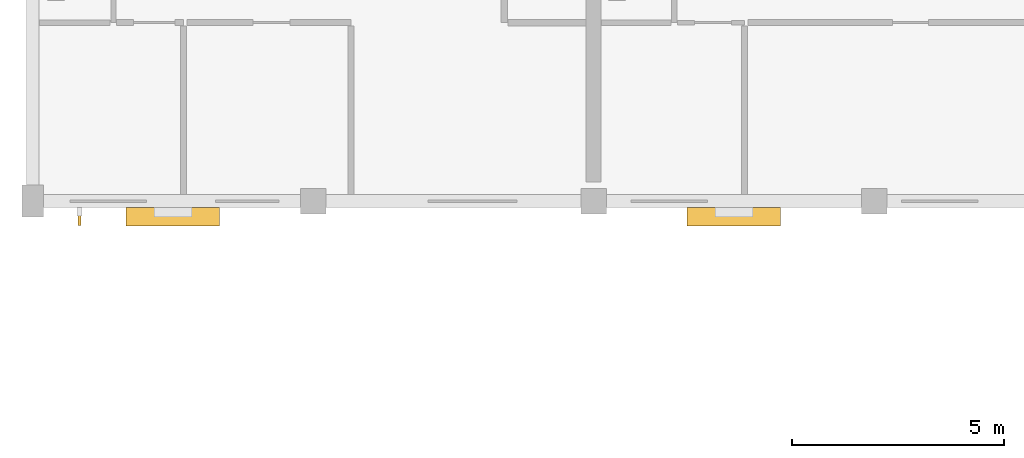
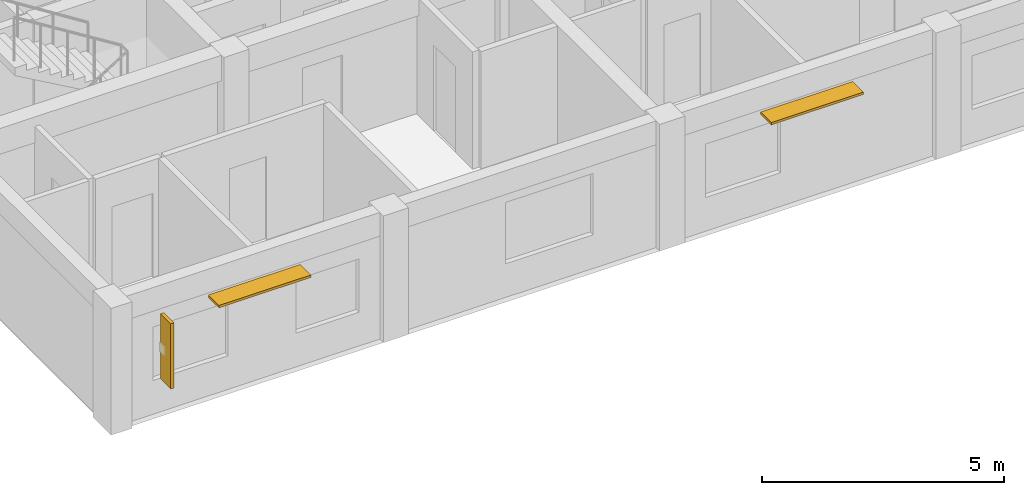
# One storey, part 47 of 52: 3 shading devices.
"""IFC4 building model written with IfcOpenShell, lengths in metres."""

import ifcopenshell
import ifcopenshell.guid

model = None  # the IFC model being written
_history = None  # IfcOwnerHistory: only IFC2X3 demands one
_inside = {}  # id of a spatial element -> (the spatial element, [elements in it])
_under = {}  # id of a project, library or spatial element -> (it, [spatial elements below it])
_declared = {}  # id of a project -> (the project, [libraries it declares])
_typed = {}  # id of a type object -> (the type object, [elements of that type])
_made_of = {}  # id of a material, layer set ... -> (it, [elements and type objects made of it])


def new_model(schema):
    """Start an empty IFC model of exactly this schema.

    Asked for "IFC4X3", IfcOpenShell would pick the latest addendum, in which some entities
    have other attributes; the version numbers below select the first issue.
    IFC2X3 requires an IfcOwnerHistory on every rooted entity: one is made here for all.
    """
    global model, _history
    if schema == "IFC4X3":
        model = ifcopenshell.file(schema_version=(4, 3, 0, 0))
    else:
        model = ifcopenshell.file(schema=schema)
    _inside.clear()
    _under.clear()
    _declared.clear()
    _typed.clear()
    _made_of.clear()
    _history = None
    if model.schema == "IFC2X3":
        org = make("IfcOrganization", Name="unknown")
        user = make(
            "IfcPersonAndOrganization",
            ThePerson=make("IfcPerson", FamilyName="unknown"),
            TheOrganization=org,
        )
        app = make(
            "IfcApplication",
            ApplicationDeveloper=org,
            Version="unknown",
            ApplicationFullName="unknown",
            ApplicationIdentifier="unknown",
        )
        _history = make(
            "IfcOwnerHistory",
            OwningUser=user,
            OwningApplication=app,
            ChangeAction="ADDED",
            CreationDate=0,
        )
    return model


def make(cls, **values):
    """One entity of the class cls with the attributes given. An attribute that is None is left unset."""
    return model.create_entity(
        cls, **{name: value for name, value in values.items() if value is not None}
    )


def rooted(cls, **values):
    """An entity with a GlobalId (a new one), such as an element, a storey or a relation."""
    return make(cls, GlobalId=ifcopenshell.guid.new(), OwnerHistory=_history, **values)


def si_unit(unit_type, name, prefix=None):
    """IfcSIUnit, for example si_unit("LENGTHUNIT", "METRE", prefix="MILLI")."""
    return make("IfcSIUnit", UnitType=unit_type, Prefix=prefix, Name=name)


def assignment(units):
    """IfcUnitAssignment: the units of a project."""
    return None if units is None else make("IfcUnitAssignment", Units=units)


def point(xyz):
    """IfcCartesianPoint."""
    return None if xyz is None else make("IfcCartesianPoint", Coordinates=xyz)


def direction(xyz):
    """IfcDirection."""
    return None if xyz is None else make("IfcDirection", DirectionRatios=xyz)


def frame(location, z_axis=None, x_axis=None):
    """IfcAxis2Placement3D, a coordinate frame: its origin and axes. An axis left out is left unset."""
    return make(
        "IfcAxis2Placement3D",
        Location=point(location),
        Axis=direction(z_axis),
        RefDirection=direction(x_axis),
    )


def frame_2d(location, x_axis=None):
    """IfcAxis2Placement2D, a coordinate frame in the plane: its origin and x axis."""
    return make(
        "IfcAxis2Placement2D", Location=point(location), RefDirection=direction(x_axis)
    )


def origin():
    """The frame at (0, 0, 0) with its axes left unset."""
    return frame((0.0, 0.0, 0.0))


def origin_2d():
    """The frame at (0, 0) in the plane with its x axis left unset."""
    return frame_2d((0.0, 0.0))


def place(relative_to, where):
    """IfcLocalPlacement: puts the frame where relative to a parent placement (None: the world)."""
    return make(
        "IfcLocalPlacement", PlacementRelTo=relative_to, RelativePlacement=where
    )


def context(
    kind, dimensions, precision=None, world=None, true_north=None, identifier=None
):
    """IfcGeometricRepresentationContext, for example the 3D "Model" context."""
    return make(
        "IfcGeometricRepresentationContext",
        ContextIdentifier=identifier,
        ContextType=kind,
        CoordinateSpaceDimension=dimensions,
        Precision=precision,
        WorldCoordinateSystem=world,
        TrueNorth=true_north,
    )


def subcontext(parent, identifier, kind, view, scale=None):
    """IfcGeometricRepresentationSubContext, for example "Body" below "Model"."""
    return make(
        "IfcGeometricRepresentationSubContext",
        ContextIdentifier=identifier,
        ContextType=kind,
        ParentContext=parent,
        TargetScale=scale,
        TargetView=view,
    )


def project(units=None, contexts=None):
    """IfcProject with its units and contexts."""
    return rooted(
        "IfcProject",
        Name="project",
        RepresentationContexts=contexts,
        UnitsInContext=assignment(units),
    )


def spatial(cls, under=None, at=None, **own):
    """A site, building, storey or space (cls), placed at a placement, below another one or the project."""
    s = rooted(cls, ObjectPlacement=at, **own)
    if under is not None:
        _under.setdefault(under.id(), (under, []))[1].append(s)
    return s


def profile(cls, at=None, kind="AREA", **sizes):
    """A parametric profile (cls). Its sizes go by their IFC names, for example OverallWidth=200.0."""
    return make(cls, ProfileType=kind, Position=at, **sizes)


def rectangle(**sizes):
    """IfcRectangleProfileDef."""
    return profile("IfcRectangleProfileDef", **sizes)


def extrude(swept, where, along, depth):
    """IfcExtrudedAreaSolid: the profile swept, set in the frame where, extruded along a direction by depth."""
    return make(
        "IfcExtrudedAreaSolid",
        SweptArea=swept,
        Position=where,
        ExtrudedDirection=direction(along),
        Depth=depth,
    )


def shape(context_of_items, identifier, shape_type, items):
    """IfcShapeRepresentation: the items that make up one representation, for example the "Body"."""
    return make(
        "IfcShapeRepresentation",
        ContextOfItems=context_of_items,
        RepresentationIdentifier=identifier,
        RepresentationType=shape_type,
        Items=items,
    )


def material(Name=None, Category=None):
    """IfcMaterial."""
    return make("IfcMaterial", Name=Name, Category=Category)


def layer(
    of_material, thickness, ventilated=None, Name=None, Category=None, Priority=None
):
    """IfcMaterialLayer: one layer of a wall or slab, of a material (None: an air gap)."""
    return make(
        "IfcMaterialLayer",
        Material=of_material,
        LayerThickness=thickness,
        IsVentilated=ventilated,
        Name=Name,
        Category=Category,
        Priority=Priority,
    )


def layer_set(layers, Name=None):
    """IfcMaterialLayerSet."""
    return make("IfcMaterialLayerSet", MaterialLayers=layers, LayerSetName=Name)


def made_of(thing, what):
    """Note that an element or type object is made of a material, layer set ...; save() writes the relation."""
    if what is not None:
        _made_of.setdefault(what.id(), (what, []))[1].append(thing)
    return thing


def type_object(cls, material=None, **own):
    """A type object (cls), such as IfcWallType, which elements share."""
    return made_of(rooted(cls, **own), material)


def element(
    cls,
    number,
    at=None,
    inside=None,
    cuts=None,
    type_object=None,
    material=None,
    context=None,
    identifier="Body",
    shape_type=None,
    held_by="IfcProductDefinitionShape",
    body=None,
    shapes=None,
    **own,
):
    """One element of the class cls, such as IfcWall. Its Tag is "e" and its number.

    at: its placement. inside: the storey or other place that contains it. cuts: it is an
    opening in that element (IfcRelVoidsElement). A single representation is given by context,
    identifier, shape_type and body (its items); several are given by shapes. held_by: the class
    of the entity that holds the representations. save() writes the other relations.
    """
    e = rooted(cls, Tag="e%d" % number, ObjectPlacement=at, **own)
    if body is not None:
        shapes = [shape(context, identifier, shape_type, body)]
    if shapes is not None:
        e.Representation = make(held_by, Representations=shapes)
    if inside is not None:
        _inside.setdefault(inside.id(), (inside, []))[1].append(e)
    if cuts is not None:
        rooted(
            "IfcRelVoidsElement", RelatingBuildingElement=cuts, RelatedOpeningElement=e
        )
    if type_object is not None:
        _typed.setdefault(type_object.id(), (type_object, []))[1].append(e)
    return made_of(e, material)


def aggregate(whole, parts):
    """IfcRelAggregates: a whole, such as a stair, and the parts it consists of."""
    return rooted("IfcRelAggregates", RelatingObject=whole, RelatedObjects=parts)


def save(model, path):
    """Write the relations noted so far, then the file.

    IfcRelAggregates (storeys below a building ...), IfcRelContainedInSpatialStructure (elements
    in a storey), IfcRelDefinesByType, IfcRelAssociatesMaterial and IfcRelDeclares: one each for
    every whole, place, type object, material and project.
    """
    for whole, parts in _under.values():
        aggregate(whole, parts)
    for where, things in _inside.values():
        rooted(
            "IfcRelContainedInSpatialStructure",
            RelatedElements=things,
            RelatingStructure=where,
        )
    for kind, things in _typed.values():
        rooted("IfcRelDefinesByType", RelatedObjects=things, RelatingType=kind)
    for what, things in _made_of.values():
        rooted("IfcRelAssociatesMaterial", RelatedObjects=things, RelatingMaterial=what)
    for by, libraries in _declared.values():
        rooted("IfcRelDeclares", RelatingContext=by, RelatedDefinitions=libraries)
    model.write(path)


model = new_model("IFC4")

# Units and contexts
model_context = context("Model", 3, precision=1e-05, world=origin(), true_north=direction((0.0, 1.0)))
body_context = subcontext(model_context, "Body", "Model", "MODEL_VIEW")
ifc_project = project(units=[si_unit("LENGTHUNIT", "METRE"), si_unit("AREAUNIT", "SQUARE_METRE"), si_unit("VOLUMEUNIT", "CUBIC_METRE"), si_unit("PLANEANGLEUNIT", "RADIAN"), si_unit("MASSUNIT", "GRAM", prefix="KILO")], contexts=[model_context])

# Site, building, storey
site_placement = place(None, origin())
site = spatial("IfcSite", under=ifc_project, at=site_placement, CompositionType="ELEMENT")
building_placement = place(site_placement, origin())
building = spatial("IfcBuilding", under=site, at=building_placement, Name="Kernevlak Ridge Housing Community", CompositionType="ELEMENT")
storey_placement = place(building_placement, frame((0.0, 0.0, 11.60009765625)))
storey = spatial("IfcBuildingStorey", under=building, at=storey_placement, Name="L03", CompositionType="ELEMENT", Elevation=11.60009765625)

# Shading devices
ifc_material_1 = material(Name="Aluminium EN AW-6060 anodised", Category="aluminium")
ifc_layer = layer(ifc_material_1, 0.06005859375, Name="Aluminium EN AW-6060 anodised")
ifc_layer_set = layer_set([ifc_layer], Name="Aluminium EN AW-6060 anodised")
shading_device_type_1 = type_object("IfcShadingDeviceType", Name="LV-01", PredefinedType="JALOUSIE", material=ifc_layer_set)
for number, where, z_axis, x_axis, name in (
    (1, (18.89990234375, 75.6298828125, 2.489990234375), (0.0, 0.0, 1.0), (1.0, 0.0, 0.0), "Horizontal solar louvre 1"),
    (2, (32.10009765625, 75.6298828125, 2.489990234375), (0.0, 0.0, 1.0), (1.0, 0.0, 0.0), "Horizontal solar louvre 2"),
):
    element("IfcShadingDevice", number, at=place(storey_placement, frame(where, z_axis=z_axis, x_axis=x_axis)), inside=storey, type_object=shading_device_type_1, Name=name, PredefinedType="JALOUSIE", context=body_context, shape_type="SweptSolid", body=[
        extrude(rectangle(XDim=2.199951171875, YDim=0.43994140625, at=origin_2d()), origin(), (0.0, 0.0, 1.0), 0.06005859375),
    ])
ifc_material_2 = material(Name="Aluminium EN AW-6060 enamelled", Category="aluminium")
shading_device_type_2 = type_object("IfcShadingDeviceType", Name="LV-02", PredefinedType="USERDEFINED", material=ifc_material_2)
shading_device_placement = place(storey_placement, frame((16.699951171875, 75.639892578125, 0.824951171875), z_axis=(0.0, 0.0, 1.0), x_axis=(1.0, 0.0, 0.0)))
element("IfcShadingDevice", 3, at=shading_device_placement, inside=storey, type_object=shading_device_type_2, Name="De Stijl yellow vertical solar fin 1", ObjectType="LOUVRE", PredefinedType="USERDEFINED", context=body_context, shape_type="SweptSolid", body=[
    extrude(rectangle(XDim=0.080078125, YDim=0.419921875, at=origin_2d()), origin(), (0.0, 0.0, 1.0), 1.64990234375),
])

save(model, "model.ifc")
